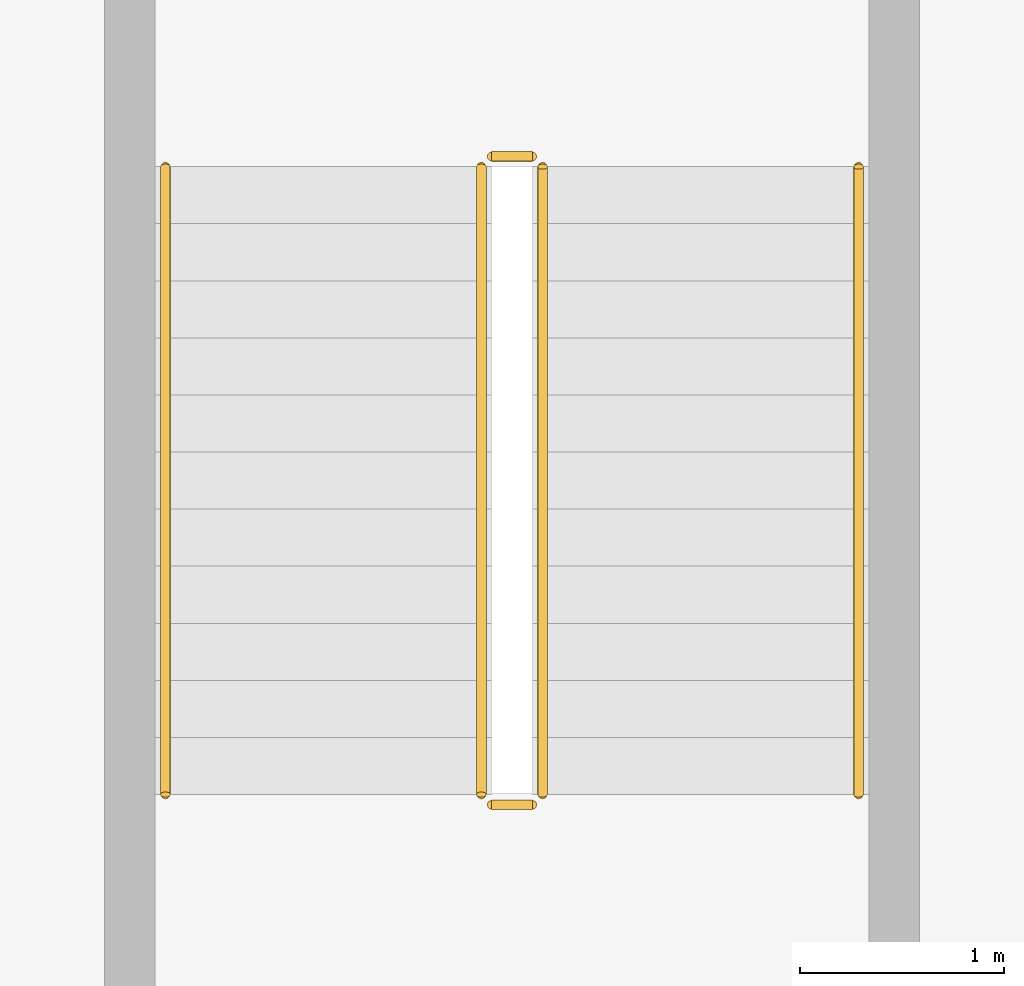
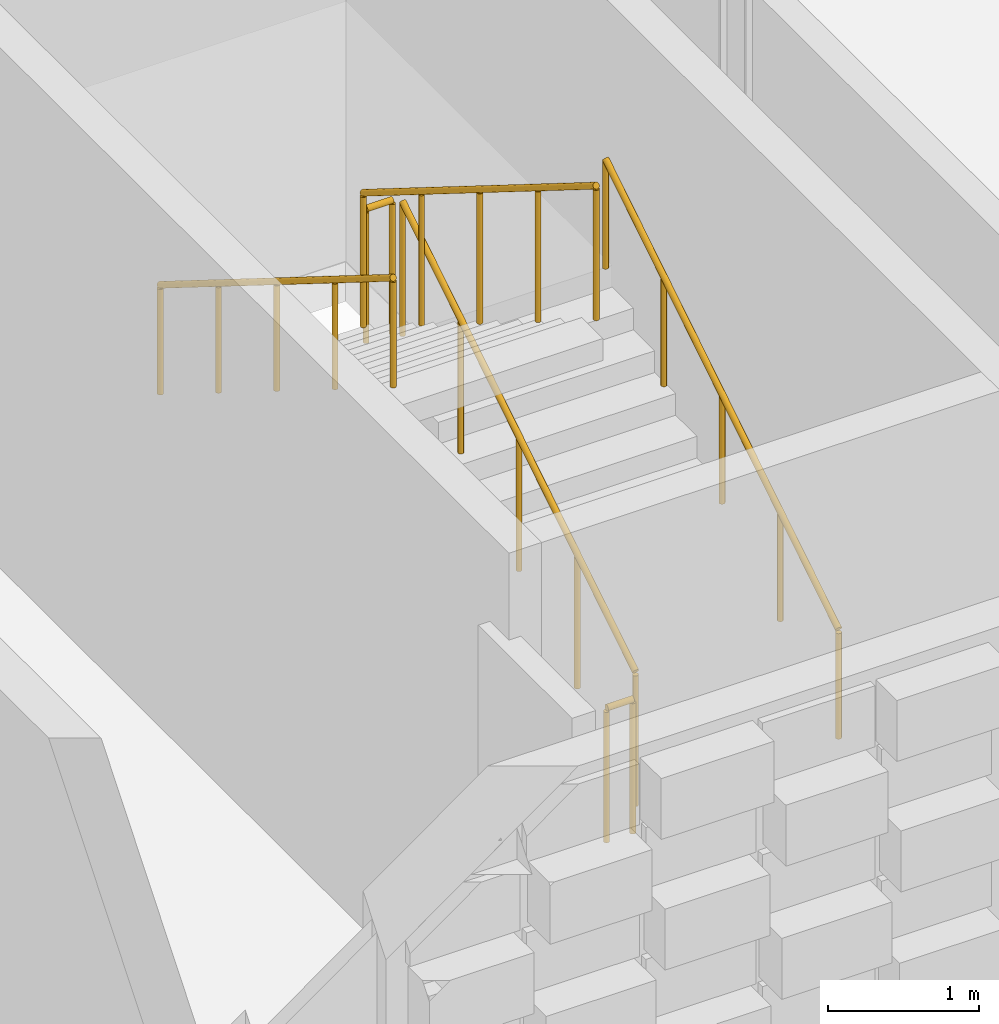
# One storey, part 88 of 99: 6 railings.
"""IFC4 building model written with IfcOpenShell, lengths in metres."""

from ifc_helpers import new_model, si_unit, direction, frame, origin, origin_2d, place, context, subcontext, project, spatial, circle, extrude, material, type_object, element, save


model = new_model("IFC4")

# Units and contexts
model_context = context("Model", 3, precision=1e-05, world=origin(), true_north=direction((0.0, 1.0)))
body_context = subcontext(model_context, "Body", "Model", "MODEL_VIEW")
ifc_project = project(units=[si_unit("LENGTHUNIT", "METRE"), si_unit("AREAUNIT", "SQUARE_METRE"), si_unit("VOLUMEUNIT", "CUBIC_METRE"), si_unit("PLANEANGLEUNIT", "RADIAN"), si_unit("MASSUNIT", "GRAM", prefix="KILO")], contexts=[model_context])

# Site, building, storey
site_placement = place(None, origin())
site = spatial("IfcSite", under=ifc_project, at=site_placement, CompositionType="ELEMENT")
building_placement = place(site_placement, origin())
building = spatial("IfcBuilding", under=site, at=building_placement, Name="Kahlenmark Community Centre", CompositionType="ELEMENT")
storey_placement = place(building_placement, frame((0.0, 0.0, 5.39990234375)))
storey = spatial("IfcBuildingStorey", under=building, at=storey_placement, Name="L01", CompositionType="ELEMENT", Elevation=5.39990234375)

# Railings
ifc_material_1 = material(Name="Brushed stainless steel 1.4301 handrail", Category="steel")
railing_type_1 = type_object("IfcRailingType", Name="RLT-HR-900", PredefinedType="HANDRAIL", material=ifc_material_1)
railing_1_placement = place(storey_placement, frame((10.75, 12.0, 0.175048828125)))
element("IfcRailing", 1, at=railing_1_placement, inside=storey, type_object=railing_type_1, Name="L01 ST-01 stair handrail 1", PredefinedType="HANDRAIL", context=body_context, shape_type="SweptSolid", body=[
    extrude(circle(Radius=0.02392578125, at=origin_2d()), frame((0.0, 0.0, 0.8759765625), z_axis=(0.0, 0.847998304005, 0.529998940003), x_axis=(-1.0, 0.0, 0.0)), (0.0, 0.0, 1.0), 3.632080078125),
    extrude(circle(Radius=0.02099609375, at=origin_2d()), origin(), (0.0, 0.0, 1.0), 0.851806640625),
    extrude(circle(Radius=0.02099609375, at=origin_2d()), frame((0.0, 0.77001953125, 0.481201171875)), (0.0, 0.0, 1.0), 0.851806640625),
    extrude(circle(Radius=0.02099609375, at=origin_2d()), frame((0.0, 1.5400390625, 0.96240234375)), (0.0, 0.0, 1.0), 0.851806640625),
    extrude(circle(Radius=0.02099609375, at=origin_2d()), frame((0.0, 2.31005859375, 1.44384765625)), (0.0, 0.0, 1.0), 0.851806640625),
    extrude(circle(Radius=0.02099609375, at=origin_2d()), frame((0.0, 3.080078125, 1.925048828125)), (0.0, 0.0, 1.0), 0.851806640625),
])
railing_2_placement = place(storey_placement, frame((7.35009765625, 15.080078125, 2.275146484375)))
element("IfcRailing", 2, at=railing_2_placement, inside=storey, type_object=railing_type_1, Name="L01 ST-01 stair handrail 2", PredefinedType="HANDRAIL", context=body_context, shape_type="SweptSolid", body=[
    extrude(circle(Radius=0.02392578125, at=origin_2d()), frame((0.0, 0.0, 0.8759765625), z_axis=(0.0, -0.847998304005, 0.529998940003), x_axis=(1.0, 0.0, 0.0)), (0.0, 0.0, 1.0), 3.632080078125),
    extrude(circle(Radius=0.02099609375, at=origin_2d()), origin(), (0.0, 0.0, 1.0), 0.851806640625),
    extrude(circle(Radius=0.02099609375, at=origin_2d()), frame((0.0, -0.77001953125, 0.481201171875)), (0.0, 0.0, 1.0), 0.851806640625),
    extrude(circle(Radius=0.02099609375, at=origin_2d()), frame((0.0, -1.5400390625, 0.96240234375)), (0.0, 0.0, 1.0), 0.851806640625),
    extrude(circle(Radius=0.02099609375, at=origin_2d()), frame((0.0, -2.31005859375, 1.44384765625)), (0.0, 0.0, 1.0), 0.851806640625),
    extrude(circle(Radius=0.02099609375, at=origin_2d()), frame((0.0, -3.080078125, 1.925048828125)), (0.0, 0.0, 1.0), 0.851806640625),
])
ifc_material_2 = material(Name="Powder-coated steel stair well guard", Category="steel")
railing_type_2 = type_object("IfcRailingType", Name="RLT-SG-1120", PredefinedType="GUARDRAIL", material=ifc_material_2)
railing_3_placement = place(storey_placement, frame((9.199951171875, 12.0, 0.175048828125)))
element("IfcRailing", 3, at=railing_3_placement, inside=storey, type_object=railing_type_2, Name="L01 ST-01 stair guard 1", PredefinedType="GUARDRAIL", context=body_context, shape_type="SweptSolid", body=[
    extrude(circle(Radius=0.02392578125, at=origin_2d()), frame((0.0, 0.0, 1.076171875), z_axis=(0.0, 0.847998304005, 0.529998940003), x_axis=(-1.0, 0.0, 0.0)), (0.0, 0.0, 1.0), 3.632080078125),
    extrude(circle(Radius=0.02099609375, at=origin_2d()), origin(), (0.0, 0.0, 1.0), 1.052001953125),
    extrude(circle(Radius=0.02099609375, at=origin_2d()), frame((0.0, 0.77001953125, 0.481201171875)), (0.0, 0.0, 1.0), 1.052001953125),
    extrude(circle(Radius=0.02099609375, at=origin_2d()), frame((0.0, 1.5400390625, 0.96240234375)), (0.0, 0.0, 1.0), 1.052001953125),
    extrude(circle(Radius=0.02099609375, at=origin_2d()), frame((0.0, 2.31005859375, 1.44384765625)), (0.0, 0.0, 1.0), 1.052001953125),
    extrude(circle(Radius=0.02099609375, at=origin_2d()), frame((0.0, 3.080078125, 1.925048828125)), (0.0, 0.0, 1.0), 1.052001953125),
])
railing_4_placement = place(storey_placement, frame((9.14990234375, 15.1298828125, 2.10009765625)))
element("IfcRailing", 4, at=railing_4_placement, inside=storey, type_object=railing_type_2, Name="L01 ST-01 stair guard 2", PredefinedType="GUARDRAIL", context=body_context, shape_type="SweptSolid", body=[
    extrude(circle(Radius=0.02392578125, at=origin_2d()), frame((0.0, 0.0, 1.076171875), z_axis=(-1.0, 0.0, 0.0), x_axis=(0.0, -1.0, 0.0)), (0.0, 0.0, 1.0), 0.199951171875),
    extrude(circle(Radius=0.02099609375, at=origin_2d()), origin(), (0.0, 0.0, 1.0), 1.052001953125),
    extrude(circle(Radius=0.02099609375, at=origin_2d()), frame((-0.199951171875, 0.0, 0.0)), (0.0, 0.0, 1.0), 1.052001953125),
])
railing_5_placement = place(storey_placement, frame((8.89990234375, 15.080078125, 2.275146484375)))
element("IfcRailing", 5, at=railing_5_placement, inside=storey, type_object=railing_type_2, Name="L01 ST-01 stair guard 3", PredefinedType="GUARDRAIL", context=body_context, shape_type="SweptSolid", body=[
    extrude(circle(Radius=0.02392578125, at=origin_2d()), frame((0.0, 0.0, 1.076171875), z_axis=(0.0, -0.847998304005, 0.529998940003), x_axis=(1.0, 0.0, 0.0)), (0.0, 0.0, 1.0), 3.632080078125),
    extrude(circle(Radius=0.02099609375, at=origin_2d()), origin(), (0.0, 0.0, 1.0), 1.052001953125),
    extrude(circle(Radius=0.02099609375, at=origin_2d()), frame((0.0, -0.77001953125, 0.481201171875)), (0.0, 0.0, 1.0), 1.052001953125),
    extrude(circle(Radius=0.02099609375, at=origin_2d()), frame((0.0, -1.5400390625, 0.96240234375)), (0.0, 0.0, 1.0), 1.052001953125),
    extrude(circle(Radius=0.02099609375, at=origin_2d()), frame((0.0, -2.31005859375, 1.44384765625)), (0.0, 0.0, 1.0), 1.052001953125),
    extrude(circle(Radius=0.02099609375, at=origin_2d()), frame((0.0, -3.080078125, 1.925048828125)), (0.0, 0.0, 1.0), 1.052001953125),
])
railing_6_placement = place(storey_placement, frame((9.14990234375, 11.949951171875, 0.0)))
element("IfcRailing", 6, at=railing_6_placement, inside=storey, type_object=railing_type_2, Name="L01 ST-01 stair guard 4", PredefinedType="GUARDRAIL", context=body_context, shape_type="SweptSolid", body=[
    extrude(circle(Radius=0.02392578125, at=origin_2d()), frame((0.0, 0.0, 1.076171875), z_axis=(-1.0, 0.0, 0.0), x_axis=(0.0, -1.0, 0.0)), (0.0, 0.0, 1.0), 0.199951171875),
    extrude(circle(Radius=0.02099609375, at=origin_2d()), origin(), (0.0, 0.0, 1.0), 1.052001953125),
    extrude(circle(Radius=0.02099609375, at=origin_2d()), frame((-0.199951171875, 0.0, 0.0)), (0.0, 0.0, 1.0), 1.052001953125),
])

save(model, "model.ifc")
